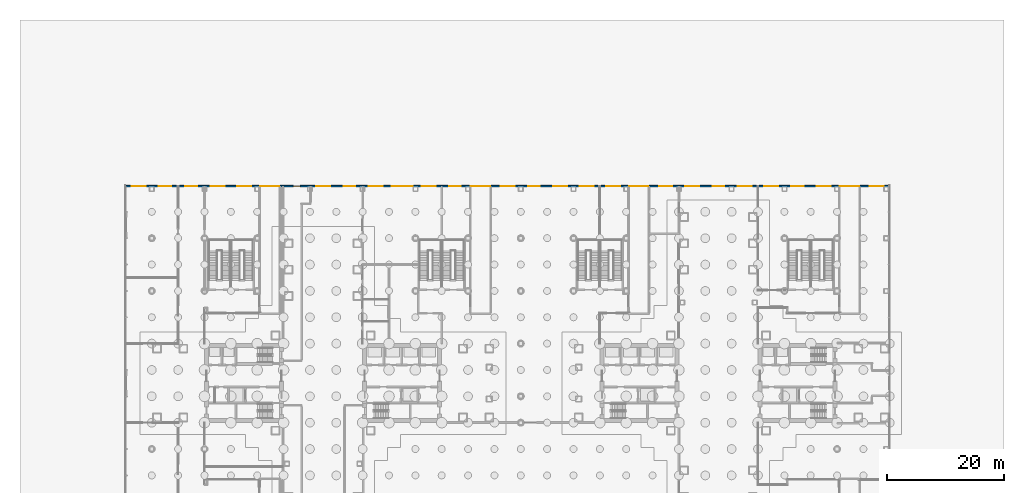
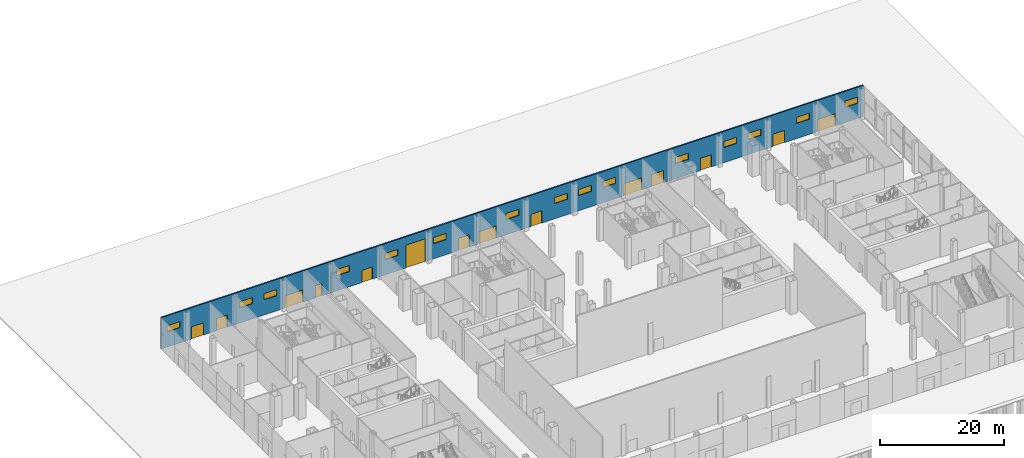
# One storey, part 25 of 37: 15 windows, 14 doors, 1 wall, 29 openings.
"""IFC4 building model written with IfcOpenShell, lengths in metres."""

from ifc_helpers import new_model, si_unit, direction, frame, frame_2d, origin, place, context, subcontext, project, spatial, rectangle, extrude, material, layer, layer_set, type_object, element, fill, save


model = new_model("IFC4")

# Units and contexts
model_context = context("Model", 3, precision=1e-05, world=origin(), true_north=direction((0.0, 1.0)))
body_context = subcontext(model_context, "Body", "Model", "MODEL_VIEW")
ifc_project = project(units=[si_unit("LENGTHUNIT", "METRE"), si_unit("AREAUNIT", "SQUARE_METRE"), si_unit("VOLUMEUNIT", "CUBIC_METRE"), si_unit("PLANEANGLEUNIT", "RADIAN"), si_unit("MASSUNIT", "GRAM", prefix="KILO")], contexts=[model_context])

# Site, building, storey
site_placement = place(None, origin())
site = spatial("IfcSite", under=ifc_project, at=site_placement, CompositionType="ELEMENT")
building_placement = place(site_placement, origin())
building = spatial("IfcBuilding", under=site, at=building_placement, Name="Shamsa Quay Exchange Towers", CompositionType="ELEMENT")
storey_placement = place(building_placement, origin())
storey = spatial("IfcBuildingStorey", under=building, at=storey_placement, Name="L00", CompositionType="ELEMENT", Elevation=0.0)

# Wall, openings, windows, doors
ifc_material_1 = material(Name="Precast concrete C40/50", Category="concrete")
ifc_layer = layer(ifc_material_1, 0.25)
ifc_layer_set = layer_set([ifc_layer], Name="PODIUM PRECAST WALL 250 C40/50")
wall_type = type_object("IfcWallType", Name="PODIUM PRECAST WALL 250 C40/50", PredefinedType="SOLIDWALL", material=ifc_layer_set)
wall_placement = place(storey_placement, frame((-67.5, 33.625, 0.0)))
wall = element("IfcWall", 1, at=wall_placement, inside=storey, type_object=wall_type, Name="Precast wall PODIUM-L00-F01 L00", PredefinedType="SOLIDWALL", context=body_context, shape_type="SweptSolid", body=[
    extrude(rectangle(XDim=130.5, YDim=0.25, at=frame_2d((65.25, 0.0))), origin(), (0.0, 0.0, 1.0), 6.14990234375),
])
opening_1_placement = place(wall_placement, frame((28.64990234375, 0.0, 0.0)))
opening_1 = element("IfcOpeningElement", 2, at=opening_1_placement, cuts=wall, Name="Opening XD005", PredefinedType="OPENING", context=body_context, shape_type="SweptSolid", body=[
    extrude(rectangle(XDim=1.199951171875, YDim=2.39990234375, at=frame_2d((0.60009765625, 1.199951171875))), frame((0.0, 0.135009765625, 0.0), z_axis=(0.0, -1.0, 0.0), x_axis=(1.0, 0.0, 0.0)), (0.0, 0.0, 1.0), 0.27001953125),
])
opening_2_placement = place(wall_placement, frame((37.25, 0.0, 0.0)))
opening_2 = element("IfcOpeningElement", 3, at=opening_2_placement, cuts=wall, Name="Opening XD006", PredefinedType="OPENING", context=body_context, shape_type="SweptSolid", body=[
    extrude(rectangle(XDim=2.0, YDim=2.39990234375, at=frame_2d((1.0, 1.199951171875))), frame((0.0, 0.135009765625, 0.0), z_axis=(0.0, -1.0, 0.0), x_axis=(1.0, 0.0, 0.0)), (0.0, 0.0, 1.0), 0.27001953125),
])
opening_3_placement = place(wall_placement, frame((100.25, 0.0, 0.0)))
opening_3 = element("IfcOpeningElement", 4, at=opening_3_placement, cuts=wall, Name="Opening XD007", PredefinedType="OPENING", context=body_context, shape_type="SweptSolid", body=[
    extrude(rectangle(XDim=2.0, YDim=2.39990234375, at=frame_2d((1.0, 1.199951171875))), frame((0.0, 0.135009765625, 0.0), z_axis=(0.0, -1.0, 0.0), x_axis=(1.0, 0.0, 0.0)), (0.0, 0.0, 1.0), 0.27001953125),
])
opening_4_placement = place(wall_placement, frame((55.25, 0.0, 0.0)))
opening_4 = element("IfcOpeningElement", 5, at=opening_4_placement, cuts=wall, Name="Opening XD008", PredefinedType="OPENING", context=body_context, shape_type="SweptSolid", body=[
    extrude(rectangle(XDim=2.0, YDim=2.39990234375, at=frame_2d((1.0, 1.199951171875))), frame((0.0, 0.135009765625, 0.0), z_axis=(0.0, -1.0, 0.0), x_axis=(1.0, 0.0, 0.0)), (0.0, 0.0, 1.0), 0.27001953125),
])
opening_5_placement = place(wall_placement, frame((68.75, 0.0, 0.0)))
opening_5 = element("IfcOpeningElement", 6, at=opening_5_placement, cuts=wall, Name="Opening XD009", PredefinedType="OPENING", context=body_context, shape_type="SweptSolid", body=[
    extrude(rectangle(XDim=2.0, YDim=2.39990234375, at=frame_2d((1.0, 1.199951171875))), frame((0.0, 0.135009765625, 0.0), z_axis=(0.0, -1.0, 0.0), x_axis=(1.0, 0.0, 0.0)), (0.0, 0.0, 1.0), 0.27001953125),
])
opening_6_placement = place(wall_placement, frame((10.25, 0.0, 0.0)))
opening_6 = element("IfcOpeningElement", 7, at=opening_6_placement, cuts=wall, Name="Opening XD010", PredefinedType="OPENING", context=body_context, shape_type="SweptSolid", body=[
    extrude(rectangle(XDim=2.0, YDim=2.39990234375, at=frame_2d((1.0, 1.199951171875))), frame((0.0, 0.135009765625, 0.0), z_axis=(0.0, -1.0, 0.0), x_axis=(1.0, 0.0, 0.0)), (0.0, 0.0, 1.0), 0.27001953125),
])
opening_7_placement = place(wall_placement, frame((5.64990234375, 0.0, 0.0)))
opening_7 = element("IfcOpeningElement", 8, at=opening_7_placement, cuts=wall, Name="Opening XD011", PredefinedType="OPENING", context=body_context, shape_type="SweptSolid", body=[
    extrude(rectangle(XDim=2.199951171875, YDim=2.39990234375, at=frame_2d((1.10009765625, 1.199951171875))), frame((0.0, 0.135009765625, 0.0), z_axis=(0.0, -1.0, 0.0), x_axis=(1.0, 0.0, 0.0)), (0.0, 0.0, 1.0), 0.27001953125),
])
opening_8_placement = place(wall_placement, frame((113.64990234375, 0.0, 0.0)))
opening_8 = element("IfcOpeningElement", 9, at=opening_8_placement, cuts=wall, Name="Opening XD012", PredefinedType="OPENING", context=body_context, shape_type="SweptSolid", body=[
    extrude(rectangle(XDim=2.199951171875, YDim=2.39990234375, at=frame_2d((1.10009765625, 1.199951171875))), frame((0.0, 0.135009765625, 0.0), z_axis=(0.0, -1.0, 0.0), x_axis=(1.0, 0.0, 0.0)), (0.0, 0.0, 1.0), 0.27001953125),
])
opening_9_placement = place(wall_placement, frame((45.449951171875, 0.0, 0.0)))
opening_9 = element("IfcOpeningElement", 10, at=opening_9_placement, cuts=wall, Name="Opening XD013", PredefinedType="OPENING", context=body_context, shape_type="SweptSolid", body=[
    extrude(rectangle(XDim=3.60009765625, YDim=4.5, at=frame_2d((1.800048828125, 2.25))), frame((0.0, 0.135009765625, 0.0), z_axis=(0.0, -1.0, 0.0), x_axis=(1.0, 0.0, 0.0)), (0.0, 0.0, 1.0), 0.27001953125),
])
opening_10_placement = place(wall_placement, frame((91.14990234375, 0.0, 0.0)))
opening_10 = element("IfcOpeningElement", 11, at=opening_10_placement, cuts=wall, Name="Opening XD014", PredefinedType="OPENING", context=body_context, shape_type="SweptSolid", body=[
    extrude(rectangle(XDim=2.199951171875, YDim=2.39990234375, at=frame_2d((1.10009765625, 1.199951171875))), frame((0.0, 0.135009765625, 0.0), z_axis=(0.0, -1.0, 0.0), x_axis=(1.0, 0.0, 0.0)), (0.0, 0.0, 1.0), 0.27001953125),
])
opening_11_placement = place(wall_placement, frame((23.0, 0.0, 0.0)))
opening_11 = element("IfcOpeningElement", 12, at=opening_11_placement, cuts=wall, Name="Opening XD015", PredefinedType="OPENING", context=body_context, shape_type="SweptSolid", body=[
    extrude(rectangle(XDim=3.300048828125, YDim=2.39990234375, at=frame_2d((1.64990234375, 1.199951171875))), frame((0.0, 0.135009765625, 0.0), z_axis=(0.0, -1.0, 0.0), x_axis=(1.0, 0.0, 0.0)), (0.0, 0.0, 1.0), 0.27001953125),
])
opening_12_placement = place(wall_placement, frame((59.0, 0.0, 0.0)))
opening_12 = element("IfcOpeningElement", 13, at=opening_12_placement, cuts=wall, Name="Opening XD016", PredefinedType="OPENING", context=body_context, shape_type="SweptSolid", body=[
    extrude(rectangle(XDim=3.300048828125, YDim=2.39990234375, at=frame_2d((1.64990234375, 1.199951171875))), frame((0.0, 0.135009765625, 0.0), z_axis=(0.0, -1.0, 0.0), x_axis=(1.0, 0.0, 0.0)), (0.0, 0.0, 1.0), 0.27001953125),
])
opening_13_placement = place(wall_placement, frame((86.0, 0.0, 0.0)))
opening_13 = element("IfcOpeningElement", 14, at=opening_13_placement, cuts=wall, Name="Opening XD017", PredefinedType="OPENING", context=body_context, shape_type="SweptSolid", body=[
    extrude(rectangle(XDim=3.300048828125, YDim=2.39990234375, at=frame_2d((1.64990234375, 1.199951171875))), frame((0.0, 0.135009765625, 0.0), z_axis=(0.0, -1.0, 0.0), x_axis=(1.0, 0.0, 0.0)), (0.0, 0.0, 1.0), 0.27001953125),
])
opening_14_placement = place(wall_placement, frame((122.0, 0.0, 0.0)))
opening_14 = element("IfcOpeningElement", 15, at=opening_14_placement, cuts=wall, Name="Opening XD018", PredefinedType="OPENING", context=body_context, shape_type="SweptSolid", body=[
    extrude(rectangle(XDim=3.300048828125, YDim=2.39990234375, at=frame_2d((1.64990234375, 1.199951171875))), frame((0.0, 0.135009765625, 0.0), z_axis=(0.0, -1.0, 0.0), x_axis=(1.0, 0.0, 0.0)), (0.0, 0.0, 1.0), 0.27001953125),
])
opening_15_placement = place(wall_placement, frame((127.050048828125, 0.0, 3.0)))
opening_15 = element("IfcOpeningElement", 16, at=opening_15_placement, cuts=wall, Name="Opening AW1", PredefinedType="OPENING", context=body_context, shape_type="SweptSolid", body=[
    extrude(rectangle(XDim=2.39990234375, YDim=1.199951171875, at=frame_2d((1.199951171875, 0.60009765625))), frame((0.0, 0.135009765625, 0.0), z_axis=(0.0, -1.0, 0.0), x_axis=(1.0, 0.0, 0.0)), (0.0, 0.0, 1.0), 0.27001953125),
])
opening_16_placement = place(wall_placement, frame((118.050048828125, 0.0, 3.0)))
opening_16 = element("IfcOpeningElement", 17, at=opening_16_placement, cuts=wall, Name="Opening AW1", PredefinedType="OPENING", context=body_context, shape_type="SweptSolid", body=[
    extrude(rectangle(XDim=2.39990234375, YDim=1.199951171875, at=frame_2d((1.199951171875, 0.60009765625))), frame((0.0, 0.135009765625, 0.0), z_axis=(0.0, -1.0, 0.0), x_axis=(1.0, 0.0, 0.0)), (0.0, 0.0, 1.0), 0.27001953125),
])
opening_17_placement = place(wall_placement, frame((109.050048828125, 0.0, 3.0)))
opening_17 = element("IfcOpeningElement", 18, at=opening_17_placement, cuts=wall, Name="Opening AW1", PredefinedType="OPENING", context=body_context, shape_type="SweptSolid", body=[
    extrude(rectangle(XDim=2.39990234375, YDim=1.199951171875, at=frame_2d((1.199951171875, 0.60009765625))), frame((0.0, 0.135009765625, 0.0), z_axis=(0.0, -1.0, 0.0), x_axis=(1.0, 0.0, 0.0)), (0.0, 0.0, 1.0), 0.27001953125),
])
opening_18_placement = place(wall_placement, frame((104.550048828125, 0.0, 3.0)))
opening_18 = element("IfcOpeningElement", 19, at=opening_18_placement, cuts=wall, Name="Opening AW1", PredefinedType="OPENING", context=body_context, shape_type="SweptSolid", body=[
    extrude(rectangle(XDim=2.39990234375, YDim=1.199951171875, at=frame_2d((1.199951171875, 0.60009765625))), frame((0.0, 0.135009765625, 0.0), z_axis=(0.0, -1.0, 0.0), x_axis=(1.0, 0.0, 0.0)), (0.0, 0.0, 1.0), 0.27001953125),
])
opening_19_placement = place(wall_placement, frame((95.550048828125, 0.0, 3.0)))
opening_19 = element("IfcOpeningElement", 20, at=opening_19_placement, cuts=wall, Name="Opening AW1", PredefinedType="OPENING", context=body_context, shape_type="SweptSolid", body=[
    extrude(rectangle(XDim=2.39990234375, YDim=1.199951171875, at=frame_2d((1.199951171875, 0.60009765625))), frame((0.0, 0.135009765625, 0.0), z_axis=(0.0, -1.0, 0.0), x_axis=(1.0, 0.0, 0.0)), (0.0, 0.0, 1.0), 0.27001953125),
])
opening_20_placement = place(wall_placement, frame((82.050048828125, 0.0, 3.0)))
opening_20 = element("IfcOpeningElement", 21, at=opening_20_placement, cuts=wall, Name="Opening AW1", PredefinedType="OPENING", context=body_context, shape_type="SweptSolid", body=[
    extrude(rectangle(XDim=2.39990234375, YDim=1.199951171875, at=frame_2d((1.199951171875, 0.60009765625))), frame((0.0, 0.135009765625, 0.0), z_axis=(0.0, -1.0, 0.0), x_axis=(1.0, 0.0, 0.0)), (0.0, 0.0, 1.0), 0.27001953125),
])
opening_21_placement = place(wall_placement, frame((77.550048828125, 0.0, 3.0)))
opening_21 = element("IfcOpeningElement", 22, at=opening_21_placement, cuts=wall, Name="Opening AW1", PredefinedType="OPENING", context=body_context, shape_type="SweptSolid", body=[
    extrude(rectangle(XDim=2.39990234375, YDim=1.199951171875, at=frame_2d((1.199951171875, 0.60009765625))), frame((0.0, 0.135009765625, 0.0), z_axis=(0.0, -1.0, 0.0), x_axis=(1.0, 0.0, 0.0)), (0.0, 0.0, 1.0), 0.27001953125),
])
opening_22_placement = place(wall_placement, frame((73.050048828125, 0.0, 3.0)))
opening_22 = element("IfcOpeningElement", 23, at=opening_22_placement, cuts=wall, Name="Opening AW1", PredefinedType="OPENING", context=body_context, shape_type="SweptSolid", body=[
    extrude(rectangle(XDim=2.39990234375, YDim=1.199951171875, at=frame_2d((1.199951171875, 0.60009765625))), frame((0.0, 0.135009765625, 0.0), z_axis=(0.0, -1.0, 0.0), x_axis=(1.0, 0.0, 0.0)), (0.0, 0.0, 1.0), 0.27001953125),
])
opening_23_placement = place(wall_placement, frame((64.050048828125, 0.0, 3.0)))
opening_23 = element("IfcOpeningElement", 24, at=opening_23_placement, cuts=wall, Name="Opening AW1", PredefinedType="OPENING", context=body_context, shape_type="SweptSolid", body=[
    extrude(rectangle(XDim=2.39990234375, YDim=1.199951171875, at=frame_2d((1.199951171875, 0.60009765625))), frame((0.0, 0.135009765625, 0.0), z_axis=(0.0, -1.0, 0.0), x_axis=(1.0, 0.0, 0.0)), (0.0, 0.0, 1.0), 0.27001953125),
])
opening_24_placement = place(wall_placement, frame((50.550048828125, 0.0, 3.0)))
opening_24 = element("IfcOpeningElement", 25, at=opening_24_placement, cuts=wall, Name="Opening AW1", PredefinedType="OPENING", context=body_context, shape_type="SweptSolid", body=[
    extrude(rectangle(XDim=2.39990234375, YDim=1.199951171875, at=frame_2d((1.199951171875, 0.60009765625))), frame((0.0, 0.135009765625, 0.0), z_axis=(0.0, -1.0, 0.0), x_axis=(1.0, 0.0, 0.0)), (0.0, 0.0, 1.0), 0.27001953125),
])
opening_25_placement = place(wall_placement, frame((41.550048828125, 0.0, 3.0)))
opening_25 = element("IfcOpeningElement", 26, at=opening_25_placement, cuts=wall, Name="Opening AW1", PredefinedType="OPENING", context=body_context, shape_type="SweptSolid", body=[
    extrude(rectangle(XDim=2.39990234375, YDim=1.199951171875, at=frame_2d((1.199951171875, 0.60009765625))), frame((0.0, 0.135009765625, 0.0), z_axis=(0.0, -1.0, 0.0), x_axis=(1.0, 0.0, 0.0)), (0.0, 0.0, 1.0), 0.27001953125),
])
opening_26_placement = place(wall_placement, frame((32.550048828125, 0.0, 3.0)))
opening_26 = element("IfcOpeningElement", 27, at=opening_26_placement, cuts=wall, Name="Opening AW1", PredefinedType="OPENING", context=body_context, shape_type="SweptSolid", body=[
    extrude(rectangle(XDim=2.39990234375, YDim=1.199951171875, at=frame_2d((1.199951171875, 0.60009765625))), frame((0.0, 0.135009765625, 0.0), z_axis=(0.0, -1.0, 0.0), x_axis=(1.0, 0.0, 0.0)), (0.0, 0.0, 1.0), 0.27001953125),
])
opening_27_placement = place(wall_placement, frame((19.050048828125, 0.0, 3.0)))
opening_27 = element("IfcOpeningElement", 28, at=opening_27_placement, cuts=wall, Name="Opening AW1", PredefinedType="OPENING", context=body_context, shape_type="SweptSolid", body=[
    extrude(rectangle(XDim=2.39990234375, YDim=1.199951171875, at=frame_2d((1.199951171875, 0.60009765625))), frame((0.0, 0.135009765625, 0.0), z_axis=(0.0, -1.0, 0.0), x_axis=(1.0, 0.0, 0.0)), (0.0, 0.0, 1.0), 0.27001953125),
])
opening_28_placement = place(wall_placement, frame((14.550048828125, 0.0, 3.0)))
opening_28 = element("IfcOpeningElement", 29, at=opening_28_placement, cuts=wall, Name="Opening AW1", PredefinedType="OPENING", context=body_context, shape_type="SweptSolid", body=[
    extrude(rectangle(XDim=2.39990234375, YDim=1.199951171875, at=frame_2d((1.199951171875, 0.60009765625))), frame((0.0, 0.135009765625, 0.0), z_axis=(0.0, -1.0, 0.0), x_axis=(1.0, 0.0, 0.0)), (0.0, 0.0, 1.0), 0.27001953125),
])
opening_29_placement = place(wall_placement, frame((1.050048828125, 0.0, 3.0)))
opening_29 = element("IfcOpeningElement", 30, at=opening_29_placement, cuts=wall, Name="Opening AW1", PredefinedType="OPENING", context=body_context, shape_type="SweptSolid", body=[
    extrude(rectangle(XDim=2.39990234375, YDim=1.199951171875, at=frame_2d((1.199951171875, 0.60009765625))), frame((0.0, 0.135009765625, 0.0), z_axis=(0.0, -1.0, 0.0), x_axis=(1.0, 0.0, 0.0)), (0.0, 0.0, 1.0), 0.27001953125),
])
ifc_material_2 = material(Name="Aluminium EN AW-6063 T6, black anodised, with laminated glass", Category="aluminium")
window_type = type_object("IfcWindowType", Name="AWNING WINDOW 2400x1200", PartitioningType="DOUBLE_PANEL_HORIZONTAL", PredefinedType="WINDOW", material=ifc_material_2)
window_1_placement = place(opening_15_placement, origin())
window_1 = element("IfcWindow", 31, at=window_1_placement, inside=storey, type_object=window_type, Name="Awning window PODIUM-L00-F01 1", OverallHeight=1.199951171875, OverallWidth=2.39990234375, PartitioningType="DOUBLE_PANEL_HORIZONTAL", PredefinedType="WINDOW", context=body_context, shape_type="SweptSolid", body=[
    extrude(rectangle(XDim=2.39990234375, YDim=1.199951171875, at=frame_2d((1.199951171875, 0.60009765625))), frame((0.0, 0.030029296875, 0.0), z_axis=(0.0, -1.0, 0.0), x_axis=(1.0, 0.0, 0.0)), (0.0, 0.0, 1.0), 0.06005859375),
])
fill(opening_15, window_1)
window_2_placement = place(opening_16_placement, origin())
window_2 = element("IfcWindow", 32, at=window_2_placement, inside=storey, type_object=window_type, Name="Awning window PODIUM-L00-F01 3", OverallHeight=1.199951171875, OverallWidth=2.39990234375, PartitioningType="DOUBLE_PANEL_HORIZONTAL", PredefinedType="WINDOW", context=body_context, shape_type="SweptSolid", body=[
    extrude(rectangle(XDim=2.39990234375, YDim=1.199951171875, at=frame_2d((1.199951171875, 0.60009765625))), frame((0.0, 0.030029296875, 0.0), z_axis=(0.0, -1.0, 0.0), x_axis=(1.0, 0.0, 0.0)), (0.0, 0.0, 1.0), 0.06005859375),
])
fill(opening_16, window_2)
window_3_placement = place(opening_17_placement, origin())
window_3 = element("IfcWindow", 33, at=window_3_placement, inside=storey, type_object=window_type, Name="Awning window PODIUM-L00-F01 5", OverallHeight=1.199951171875, OverallWidth=2.39990234375, PartitioningType="DOUBLE_PANEL_HORIZONTAL", PredefinedType="WINDOW", context=body_context, shape_type="SweptSolid", body=[
    extrude(rectangle(XDim=2.39990234375, YDim=1.199951171875, at=frame_2d((1.199951171875, 0.60009765625))), frame((0.0, 0.030029296875, 0.0), z_axis=(0.0, -1.0, 0.0), x_axis=(1.0, 0.0, 0.0)), (0.0, 0.0, 1.0), 0.06005859375),
])
fill(opening_17, window_3)
window_4_placement = place(opening_18_placement, origin())
window_4 = element("IfcWindow", 34, at=window_4_placement, inside=storey, type_object=window_type, Name="Awning window PODIUM-L00-F01 6", OverallHeight=1.199951171875, OverallWidth=2.39990234375, PartitioningType="DOUBLE_PANEL_HORIZONTAL", PredefinedType="WINDOW", context=body_context, shape_type="SweptSolid", body=[
    extrude(rectangle(XDim=2.39990234375, YDim=1.199951171875, at=frame_2d((1.199951171875, 0.60009765625))), frame((0.0, 0.030029296875, 0.0), z_axis=(0.0, -1.0, 0.0), x_axis=(1.0, 0.0, 0.0)), (0.0, 0.0, 1.0), 0.06005859375),
])
fill(opening_18, window_4)
window_5_placement = place(opening_19_placement, origin())
window_5 = element("IfcWindow", 35, at=window_5_placement, inside=storey, type_object=window_type, Name="Awning window PODIUM-L00-F01 8", OverallHeight=1.199951171875, OverallWidth=2.39990234375, PartitioningType="DOUBLE_PANEL_HORIZONTAL", PredefinedType="WINDOW", context=body_context, shape_type="SweptSolid", body=[
    extrude(rectangle(XDim=2.39990234375, YDim=1.199951171875, at=frame_2d((1.199951171875, 0.60009765625))), frame((0.0, 0.030029296875, 0.0), z_axis=(0.0, -1.0, 0.0), x_axis=(1.0, 0.0, 0.0)), (0.0, 0.0, 1.0), 0.06005859375),
])
fill(opening_19, window_5)
window_6_placement = place(opening_20_placement, origin())
window_6 = element("IfcWindow", 36, at=window_6_placement, inside=storey, type_object=window_type, Name="Awning window PODIUM-L00-F01 11", OverallHeight=1.199951171875, OverallWidth=2.39990234375, PartitioningType="DOUBLE_PANEL_HORIZONTAL", PredefinedType="WINDOW", context=body_context, shape_type="SweptSolid", body=[
    extrude(rectangle(XDim=2.39990234375, YDim=1.199951171875, at=frame_2d((1.199951171875, 0.60009765625))), frame((0.0, 0.030029296875, 0.0), z_axis=(0.0, -1.0, 0.0), x_axis=(1.0, 0.0, 0.0)), (0.0, 0.0, 1.0), 0.06005859375),
])
fill(opening_20, window_6)
window_7_placement = place(opening_21_placement, origin())
window_7 = element("IfcWindow", 37, at=window_7_placement, inside=storey, type_object=window_type, Name="Awning window PODIUM-L00-F01 12", OverallHeight=1.199951171875, OverallWidth=2.39990234375, PartitioningType="DOUBLE_PANEL_HORIZONTAL", PredefinedType="WINDOW", context=body_context, shape_type="SweptSolid", body=[
    extrude(rectangle(XDim=2.39990234375, YDim=1.199951171875, at=frame_2d((1.199951171875, 0.60009765625))), frame((0.0, 0.030029296875, 0.0), z_axis=(0.0, -1.0, 0.0), x_axis=(1.0, 0.0, 0.0)), (0.0, 0.0, 1.0), 0.06005859375),
])
fill(opening_21, window_7)
window_8_placement = place(opening_22_placement, origin())
window_8 = element("IfcWindow", 38, at=window_8_placement, inside=storey, type_object=window_type, Name="Awning window PODIUM-L00-F01 13", OverallHeight=1.199951171875, OverallWidth=2.39990234375, PartitioningType="DOUBLE_PANEL_HORIZONTAL", PredefinedType="WINDOW", context=body_context, shape_type="SweptSolid", body=[
    extrude(rectangle(XDim=2.39990234375, YDim=1.199951171875, at=frame_2d((1.199951171875, 0.60009765625))), frame((0.0, 0.030029296875, 0.0), z_axis=(0.0, -1.0, 0.0), x_axis=(1.0, 0.0, 0.0)), (0.0, 0.0, 1.0), 0.06005859375),
])
fill(opening_22, window_8)
window_9_placement = place(opening_23_placement, origin())
window_9 = element("IfcWindow", 39, at=window_9_placement, inside=storey, type_object=window_type, Name="Awning window PODIUM-L00-F01 15", OverallHeight=1.199951171875, OverallWidth=2.39990234375, PartitioningType="DOUBLE_PANEL_HORIZONTAL", PredefinedType="WINDOW", context=body_context, shape_type="SweptSolid", body=[
    extrude(rectangle(XDim=2.39990234375, YDim=1.199951171875, at=frame_2d((1.199951171875, 0.60009765625))), frame((0.0, 0.030029296875, 0.0), z_axis=(0.0, -1.0, 0.0), x_axis=(1.0, 0.0, 0.0)), (0.0, 0.0, 1.0), 0.06005859375),
])
fill(opening_23, window_9)
window_10_placement = place(opening_24_placement, origin())
window_10 = element("IfcWindow", 40, at=window_10_placement, inside=storey, type_object=window_type, Name="Awning window PODIUM-L00-F01 18", OverallHeight=1.199951171875, OverallWidth=2.39990234375, PartitioningType="DOUBLE_PANEL_HORIZONTAL", PredefinedType="WINDOW", context=body_context, shape_type="SweptSolid", body=[
    extrude(rectangle(XDim=2.39990234375, YDim=1.199951171875, at=frame_2d((1.199951171875, 0.60009765625))), frame((0.0, 0.030029296875, 0.0), z_axis=(0.0, -1.0, 0.0), x_axis=(1.0, 0.0, 0.0)), (0.0, 0.0, 1.0), 0.06005859375),
])
fill(opening_24, window_10)
window_11_placement = place(opening_25_placement, origin())
window_11 = element("IfcWindow", 41, at=window_11_placement, inside=storey, type_object=window_type, Name="Awning window PODIUM-L00-F01 20", OverallHeight=1.199951171875, OverallWidth=2.39990234375, PartitioningType="DOUBLE_PANEL_HORIZONTAL", PredefinedType="WINDOW", context=body_context, shape_type="SweptSolid", body=[
    extrude(rectangle(XDim=2.39990234375, YDim=1.199951171875, at=frame_2d((1.199951171875, 0.60009765625))), frame((0.0, 0.030029296875, 0.0), z_axis=(0.0, -1.0, 0.0), x_axis=(1.0, 0.0, 0.0)), (0.0, 0.0, 1.0), 0.06005859375),
])
fill(opening_25, window_11)
window_12_placement = place(opening_26_placement, origin())
window_12 = element("IfcWindow", 42, at=window_12_placement, inside=storey, type_object=window_type, Name="Awning window PODIUM-L00-F01 22", OverallHeight=1.199951171875, OverallWidth=2.39990234375, PartitioningType="DOUBLE_PANEL_HORIZONTAL", PredefinedType="WINDOW", context=body_context, shape_type="SweptSolid", body=[
    extrude(rectangle(XDim=2.39990234375, YDim=1.199951171875, at=frame_2d((1.199951171875, 0.60009765625))), frame((0.0, 0.030029296875, 0.0), z_axis=(0.0, -1.0, 0.0), x_axis=(1.0, 0.0, 0.0)), (0.0, 0.0, 1.0), 0.06005859375),
])
fill(opening_26, window_12)
window_13_placement = place(opening_27_placement, origin())
window_13 = element("IfcWindow", 43, at=window_13_placement, inside=storey, type_object=window_type, Name="Awning window PODIUM-L00-F01 25", OverallHeight=1.199951171875, OverallWidth=2.39990234375, PartitioningType="DOUBLE_PANEL_HORIZONTAL", PredefinedType="WINDOW", context=body_context, shape_type="SweptSolid", body=[
    extrude(rectangle(XDim=2.39990234375, YDim=1.199951171875, at=frame_2d((1.199951171875, 0.60009765625))), frame((0.0, 0.030029296875, 0.0), z_axis=(0.0, -1.0, 0.0), x_axis=(1.0, 0.0, 0.0)), (0.0, 0.0, 1.0), 0.06005859375),
])
fill(opening_27, window_13)
window_14_placement = place(opening_28_placement, origin())
window_14 = element("IfcWindow", 44, at=window_14_placement, inside=storey, type_object=window_type, Name="Awning window PODIUM-L00-F01 26", OverallHeight=1.199951171875, OverallWidth=2.39990234375, PartitioningType="DOUBLE_PANEL_HORIZONTAL", PredefinedType="WINDOW", context=body_context, shape_type="SweptSolid", body=[
    extrude(rectangle(XDim=2.39990234375, YDim=1.199951171875, at=frame_2d((1.199951171875, 0.60009765625))), frame((0.0, 0.030029296875, 0.0), z_axis=(0.0, -1.0, 0.0), x_axis=(1.0, 0.0, 0.0)), (0.0, 0.0, 1.0), 0.06005859375),
])
fill(opening_28, window_14)
window_15_placement = place(opening_29_placement, origin())
window_15 = element("IfcWindow", 45, at=window_15_placement, inside=storey, type_object=window_type, Name="Awning window PODIUM-L00-F01 29", OverallHeight=1.199951171875, OverallWidth=2.39990234375, PartitioningType="DOUBLE_PANEL_HORIZONTAL", PredefinedType="WINDOW", context=body_context, shape_type="SweptSolid", body=[
    extrude(rectangle(XDim=2.39990234375, YDim=1.199951171875, at=frame_2d((1.199951171875, 0.60009765625))), frame((0.0, 0.030029296875, 0.0), z_axis=(0.0, -1.0, 0.0), x_axis=(1.0, 0.0, 0.0)), (0.0, 0.0, 1.0), 0.06005859375),
])
fill(opening_29, window_15)
ifc_material_3 = material(Name="Aluminium EN AW-6063 T6, black anodised, with laminated glass leaves", Category="aluminium")
door_type_1 = type_object("IfcDoorType", Name="ENTRANCE DOOR 2000x2400", OperationType="DOUBLE_DOOR_SINGLE_SWING", PredefinedType="DOOR", material=ifc_material_3)
door_1_placement = place(opening_2_placement, origin())
door_1 = element("IfcDoor", 46, at=door_1_placement, inside=storey, type_object=door_type_1, Name="Entrance door Entrance 2", OperationType="DOUBLE_DOOR_SINGLE_SWING", OverallHeight=2.39990234375, OverallWidth=2.0, PredefinedType="DOOR", context=body_context, shape_type="SweptSolid", body=[
    extrude(rectangle(XDim=2.0, YDim=2.39990234375, at=frame_2d((1.0, 1.199951171875))), frame((0.0, 0.02490234375, 0.0), z_axis=(0.0, -1.0, 0.0), x_axis=(1.0, 0.0, 0.0)), (0.0, 0.0, 1.0), 0.050048828125),
])
fill(opening_2, door_1)
door_2_placement = place(opening_3_placement, origin())
door_2 = element("IfcDoor", 47, at=door_2_placement, inside=storey, type_object=door_type_1, Name="Entrance door Entrance 3", OperationType="DOUBLE_DOOR_SINGLE_SWING", OverallHeight=2.39990234375, OverallWidth=2.0, PredefinedType="DOOR", context=body_context, shape_type="SweptSolid", body=[
    extrude(rectangle(XDim=2.0, YDim=2.39990234375, at=frame_2d((1.0, 1.199951171875))), frame((0.0, 0.02490234375, 0.0), z_axis=(0.0, -1.0, 0.0), x_axis=(1.0, 0.0, 0.0)), (0.0, 0.0, 1.0), 0.050048828125),
])
fill(opening_3, door_2)
door_3_placement = place(opening_4_placement, origin())
door_3 = element("IfcDoor", 48, at=door_3_placement, inside=storey, type_object=door_type_1, Name="Entrance door Entrance 4", OperationType="DOUBLE_DOOR_SINGLE_SWING", OverallHeight=2.39990234375, OverallWidth=2.0, PredefinedType="DOOR", context=body_context, shape_type="SweptSolid", body=[
    extrude(rectangle(XDim=2.0, YDim=2.39990234375, at=frame_2d((1.0, 1.199951171875))), frame((0.0, 0.02490234375, 0.0), z_axis=(0.0, -1.0, 0.0), x_axis=(1.0, 0.0, 0.0)), (0.0, 0.0, 1.0), 0.050048828125),
])
fill(opening_4, door_3)
door_4_placement = place(opening_5_placement, origin())
door_4 = element("IfcDoor", 49, at=door_4_placement, inside=storey, type_object=door_type_1, Name="Entrance door Entrance 5", OperationType="DOUBLE_DOOR_SINGLE_SWING", OverallHeight=2.39990234375, OverallWidth=2.0, PredefinedType="DOOR", context=body_context, shape_type="SweptSolid", body=[
    extrude(rectangle(XDim=2.0, YDim=2.39990234375, at=frame_2d((1.0, 1.199951171875))), frame((0.0, 0.02490234375, 0.0), z_axis=(0.0, -1.0, 0.0), x_axis=(1.0, 0.0, 0.0)), (0.0, 0.0, 1.0), 0.050048828125),
])
fill(opening_5, door_4)
door_5_placement = place(opening_6_placement, origin())
door_5 = element("IfcDoor", 50, at=door_5_placement, inside=storey, type_object=door_type_1, Name="Entrance door Entrance 6", OperationType="DOUBLE_DOOR_SINGLE_SWING", OverallHeight=2.39990234375, OverallWidth=2.0, PredefinedType="DOOR", context=body_context, shape_type="SweptSolid", body=[
    extrude(rectangle(XDim=2.0, YDim=2.39990234375, at=frame_2d((1.0, 1.199951171875))), frame((0.0, 0.02490234375, 0.0), z_axis=(0.0, -1.0, 0.0), x_axis=(1.0, 0.0, 0.0)), (0.0, 0.0, 1.0), 0.050048828125),
])
fill(opening_6, door_5)
ifc_material_4 = material(Name="Steel S355, galvanised, black powder-coated, roller shutter", Category="steel")
door_type_2 = type_object("IfcDoorType", Name="LOADING DOOR 3600x4500", OperationType="ROLLINGUP", PredefinedType="DOOR", material=ifc_material_4)
door_6_placement = place(opening_9_placement, origin())
door_6 = element("IfcDoor", 51, at=door_6_placement, inside=storey, type_object=door_type_2, Name="Loading door Loading door 9", OperationType="ROLLINGUP", OverallHeight=4.5, OverallWidth=3.60009765625, PredefinedType="DOOR", context=body_context, shape_type="SweptSolid", body=[
    extrude(rectangle(XDim=3.60009765625, YDim=4.5, at=frame_2d((1.800048828125, 2.25))), frame((0.0, 0.02490234375, 0.0), z_axis=(0.0, -1.0, 0.0), x_axis=(1.0, 0.0, 0.0)), (0.0, 0.0, 1.0), 0.050048828125),
])
fill(opening_9, door_6)
door_type_3 = type_object("IfcDoorType", Name="SERVICE DOOR 1200x2400", OperationType="SINGLE_SWING_RIGHT", PredefinedType="DOOR", material=ifc_material_3)
door_7_placement = place(opening_1_placement, origin())
door_7 = element("IfcDoor", 52, at=door_7_placement, inside=storey, type_object=door_type_3, Name="Service door Service door 1", OperationType="SINGLE_SWING_RIGHT", OverallHeight=2.39990234375, OverallWidth=1.199951171875, PredefinedType="DOOR", context=body_context, shape_type="SweptSolid", body=[
    extrude(rectangle(XDim=1.199951171875, YDim=2.39990234375, at=frame_2d((0.60009765625, 1.199951171875))), frame((0.0, 0.02490234375, 0.0), z_axis=(0.0, -1.0, 0.0), x_axis=(1.0, 0.0, 0.0)), (0.0, 0.0, 1.0), 0.050048828125),
])
fill(opening_1, door_7)
door_type_4 = type_object("IfcDoorType", Name="SHOP DOOR 2200x2400", OperationType="DOUBLE_DOOR_SINGLE_SWING", PredefinedType="DOOR", material=ifc_material_3)
door_8_placement = place(opening_7_placement, origin())
door_8 = element("IfcDoor", 53, at=door_8_placement, inside=storey, type_object=door_type_4, Name="Shop door Street door 7", OperationType="DOUBLE_DOOR_SINGLE_SWING", OverallHeight=2.39990234375, OverallWidth=2.199951171875, PredefinedType="DOOR", context=body_context, shape_type="SweptSolid", body=[
    extrude(rectangle(XDim=2.199951171875, YDim=2.39990234375, at=frame_2d((1.10009765625, 1.199951171875))), frame((0.0, 0.02490234375, 0.0), z_axis=(0.0, -1.0, 0.0), x_axis=(1.0, 0.0, 0.0)), (0.0, 0.0, 1.0), 0.050048828125),
])
fill(opening_7, door_8)
door_9_placement = place(opening_8_placement, origin())
door_9 = element("IfcDoor", 54, at=door_9_placement, inside=storey, type_object=door_type_4, Name="Shop door Street door 8", OperationType="DOUBLE_DOOR_SINGLE_SWING", OverallHeight=2.39990234375, OverallWidth=2.199951171875, PredefinedType="DOOR", context=body_context, shape_type="SweptSolid", body=[
    extrude(rectangle(XDim=2.199951171875, YDim=2.39990234375, at=frame_2d((1.10009765625, 1.199951171875))), frame((0.0, 0.02490234375, 0.0), z_axis=(0.0, -1.0, 0.0), x_axis=(1.0, 0.0, 0.0)), (0.0, 0.0, 1.0), 0.050048828125),
])
fill(opening_8, door_9)
door_10_placement = place(opening_10_placement, origin())
door_10 = element("IfcDoor", 55, at=door_10_placement, inside=storey, type_object=door_type_4, Name="Shop door Street door 10", OperationType="DOUBLE_DOOR_SINGLE_SWING", OverallHeight=2.39990234375, OverallWidth=2.199951171875, PredefinedType="DOOR", context=body_context, shape_type="SweptSolid", body=[
    extrude(rectangle(XDim=2.199951171875, YDim=2.39990234375, at=frame_2d((1.10009765625, 1.199951171875))), frame((0.0, 0.02490234375, 0.0), z_axis=(0.0, -1.0, 0.0), x_axis=(1.0, 0.0, 0.0)), (0.0, 0.0, 1.0), 0.050048828125),
])
fill(opening_10, door_10)
door_type_5 = type_object("IfcDoorType", Name="STAIR EXIT DOOR 3300x2400", OperationType="DOUBLE_DOOR_SINGLE_SWING", PredefinedType="DOOR", material=ifc_material_3)
door_11_placement = place(opening_11_placement, origin())
door_11 = element("IfcDoor", 56, at=door_11_placement, inside=storey, type_object=door_type_5, Name="Stair exit door Stair PS1 exit", OperationType="DOUBLE_DOOR_SINGLE_SWING", OverallHeight=2.39990234375, OverallWidth=3.300048828125, PredefinedType="DOOR", context=body_context, shape_type="SweptSolid", body=[
    extrude(rectangle(XDim=3.300048828125, YDim=2.39990234375, at=frame_2d((1.64990234375, 1.199951171875))), frame((0.0, 0.02490234375, 0.0), z_axis=(0.0, -1.0, 0.0), x_axis=(1.0, 0.0, 0.0)), (0.0, 0.0, 1.0), 0.050048828125),
])
fill(opening_11, door_11)
door_12_placement = place(opening_12_placement, origin())
door_12 = element("IfcDoor", 57, at=door_12_placement, inside=storey, type_object=door_type_5, Name="Stair exit door Stair PS2 exit", OperationType="DOUBLE_DOOR_SINGLE_SWING", OverallHeight=2.39990234375, OverallWidth=3.300048828125, PredefinedType="DOOR", context=body_context, shape_type="SweptSolid", body=[
    extrude(rectangle(XDim=3.300048828125, YDim=2.39990234375, at=frame_2d((1.64990234375, 1.199951171875))), frame((0.0, 0.02490234375, 0.0), z_axis=(0.0, -1.0, 0.0), x_axis=(1.0, 0.0, 0.0)), (0.0, 0.0, 1.0), 0.050048828125),
])
fill(opening_12, door_12)
door_13_placement = place(opening_13_placement, origin())
door_13 = element("IfcDoor", 58, at=door_13_placement, inside=storey, type_object=door_type_5, Name="Stair exit door Stair PS3 exit", OperationType="DOUBLE_DOOR_SINGLE_SWING", OverallHeight=2.39990234375, OverallWidth=3.300048828125, PredefinedType="DOOR", context=body_context, shape_type="SweptSolid", body=[
    extrude(rectangle(XDim=3.300048828125, YDim=2.39990234375, at=frame_2d((1.64990234375, 1.199951171875))), frame((0.0, 0.02490234375, 0.0), z_axis=(0.0, -1.0, 0.0), x_axis=(1.0, 0.0, 0.0)), (0.0, 0.0, 1.0), 0.050048828125),
])
fill(opening_13, door_13)
door_14_placement = place(opening_14_placement, origin())
door_14 = element("IfcDoor", 59, at=door_14_placement, inside=storey, type_object=door_type_5, Name="Stair exit door Stair PS4 exit", OperationType="DOUBLE_DOOR_SINGLE_SWING", OverallHeight=2.39990234375, OverallWidth=3.300048828125, PredefinedType="DOOR", context=body_context, shape_type="SweptSolid", body=[
    extrude(rectangle(XDim=3.300048828125, YDim=2.39990234375, at=frame_2d((1.64990234375, 1.199951171875))), frame((0.0, 0.02490234375, 0.0), z_axis=(0.0, -1.0, 0.0), x_axis=(1.0, 0.0, 0.0)), (0.0, 0.0, 1.0), 0.050048828125),
])
fill(opening_14, door_14)

save(model, "model.ifc")
